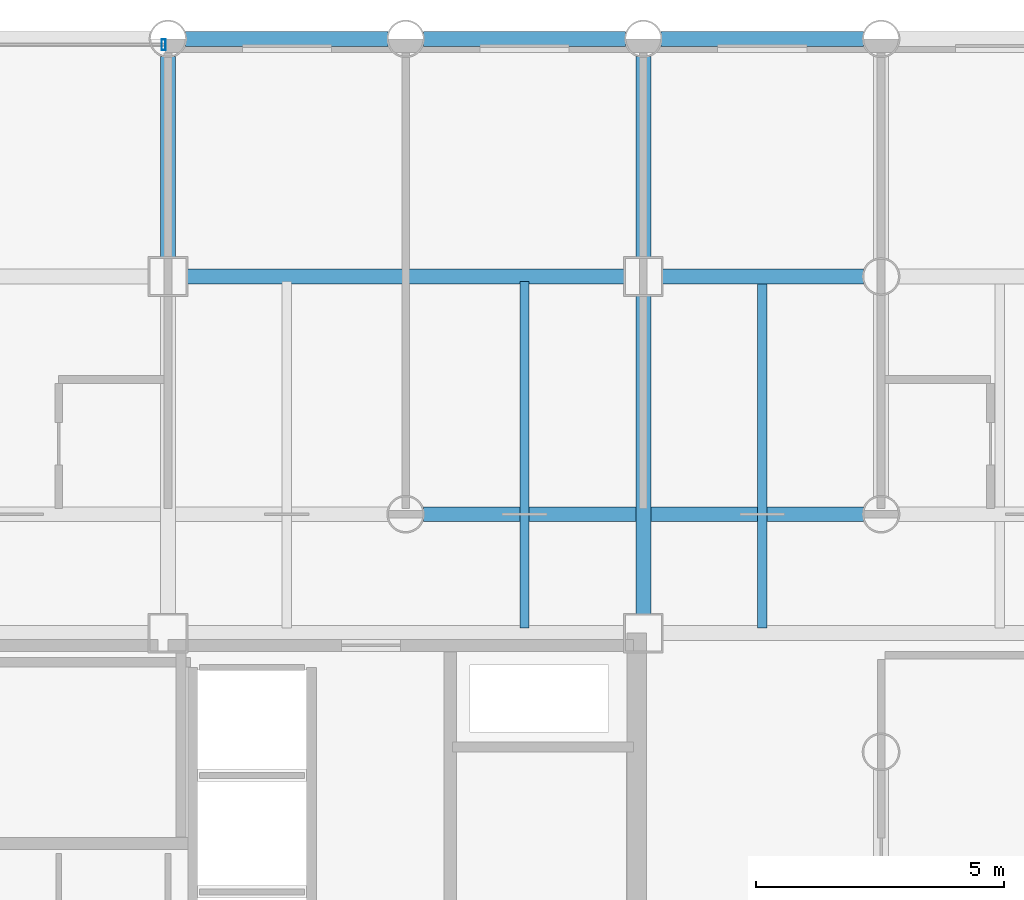
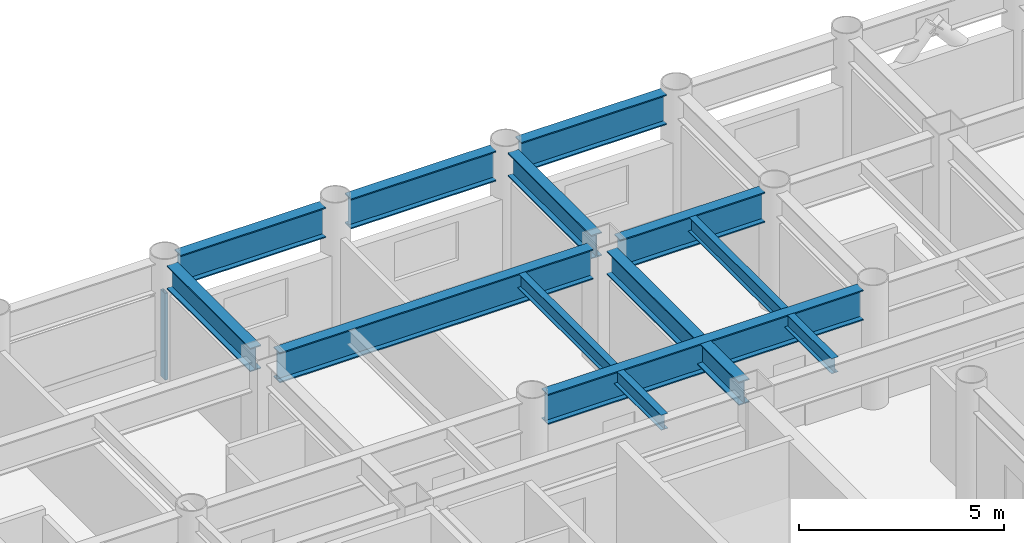
# One storey, part 12 of 21: 11 beams, 1 member, 1 element without a shape of its own.
"""IFC4 building model written with IfcOpenShell, lengths in metres."""

from ifc_helpers import new_model, si_unit, direction, frame, origin, origin_2d, place, context, subcontext, project, spatial, hollow_rectangle, i_section, extrude, material, layer, layer_set, material_profile, profile_set, type_object, element, aggregate, save


model = new_model("IFC4")

# Units and contexts
model_context = context("Model", 3, precision=1e-05, world=origin(), true_north=direction((0.0, 1.0)))
body_context = subcontext(model_context, "Body", "Model", "MODEL_VIEW")
ifc_project = project(units=[si_unit("LENGTHUNIT", "METRE"), si_unit("AREAUNIT", "SQUARE_METRE"), si_unit("VOLUMEUNIT", "CUBIC_METRE"), si_unit("PLANEANGLEUNIT", "RADIAN"), si_unit("MASSUNIT", "GRAM", prefix="KILO")], contexts=[model_context])

# Site, building, storey
site_placement = place(None, origin())
site = spatial("IfcSite", under=ifc_project, at=site_placement, CompositionType="ELEMENT")
building_placement = place(site_placement, origin())
building = spatial("IfcBuilding", under=site, at=building_placement, Name="Kallvorn Hotel Tower", CompositionType="ELEMENT")
storey_placement = place(building_placement, frame((0.0, 0.0, 81.800048828125)))
storey = spatial("IfcBuildingStorey", under=building, at=storey_placement, Name="L19", CompositionType="ELEMENT", Elevation=81.800048828125)

# Beams
ifc_material_1 = material(Name="Structural steel S355JR", Category="steel")
ifc_material_profile_1 = material_profile(ifc_material_1, i_section(OverallWidth=0.300048828125, OverallDepth=0.699951171875, WebThickness=0.01708984375, FlangeThickness=0.031982421875, at=origin_2d()), Name="HE 700 B")
ifc_profile_set_1 = profile_set([ifc_material_profile_1], Name="Structural steel S355JR")
beam_type_1 = type_object("IfcBeamType", Name="BM_HE700B", PredefinedType="BEAM", material=ifc_profile_set_1)
beam_1_placement = place(storey_placement, frame((4.800048828125, 14.77490234375, 3.169921875), z_axis=(0.0, 1.0, 0.0), x_axis=(-1.0, 0.0, 0.0)))
element("IfcBeam", 1, at=beam_1_placement, inside=storey, type_object=beam_type_1, Name="L20 Primary Y-Girder 117", PredefinedType="BEAM", context=body_context, shape_type="SweptSolid", body=[
    extrude(i_section(OverallWidth=0.300048828125, OverallDepth=0.699951171875, WebThickness=0.01708984375, FlangeThickness=0.031982421875, at=origin_2d()), origin(), (0.0, 0.0, 1.0), 4.069091796875),
])
beam_2_placement = place(storey_placement, frame((14.39990234375, 7.574951171875, 3.169921875), z_axis=(0.0, 1.0, 0.0), x_axis=(-1.0, 0.0, 0.0)))
element("IfcBeam", 2, at=beam_2_placement, inside=storey, type_object=beam_type_1, Name="L20 Primary Y-Girder 124", PredefinedType="BEAM", context=body_context, shape_type="SweptSolid", body=[
    extrude(i_section(OverallWidth=0.300048828125, OverallDepth=0.699951171875, WebThickness=0.01708984375, FlangeThickness=0.031982421875, at=origin_2d()), origin(), (0.0, 0.0, 1.0), 6.449951171875),
])
beam_3_placement = place(storey_placement, frame((14.39990234375, 14.77490234375, 3.169921875), z_axis=(0.0, 1.0, 0.0), x_axis=(-1.0, 0.0, 0.0)))
element("IfcBeam", 3, at=beam_3_placement, inside=storey, type_object=beam_type_1, Name="L20 Primary Y-Girder 125", PredefinedType="BEAM", context=body_context, shape_type="SweptSolid", body=[
    extrude(i_section(OverallWidth=0.300048828125, OverallDepth=0.699951171875, WebThickness=0.01708984375, FlangeThickness=0.031982421875, at=origin_2d()), origin(), (0.0, 0.0, 1.0), 4.069091796875),
])
ifc_material_2 = material(Name="Structural steel S355JR", Category="steel")
ifc_material_profile_2 = material_profile(ifc_material_2, i_section(OverallWidth=0.300048828125, OverallDepth=0.89990234375, WebThickness=0.0185546875, FlangeThickness=0.034912109375, at=origin_2d()), Name="HE 900 B")
ifc_profile_set_2 = profile_set([ifc_material_profile_2], Name="Structural steel S355JR")
beam_type_2 = type_object("IfcBeamType", Name="BM_HE900B", PredefinedType="BEAM", material=ifc_profile_set_2)
beam_4_placement = place(storey_placement, frame((9.9560546875, 9.60009765625, 3.070068359375), z_axis=(1.0, 0.0, 0.0), x_axis=(0.0, 1.0, 0.0)))
element("IfcBeam", 4, at=beam_4_placement, inside=storey, type_object=beam_type_2, Name="L20 Primary X-Girder 47", PredefinedType="BEAM", context=body_context, shape_type="SweptSolid", body=[
    extrude(i_section(OverallWidth=0.300048828125, OverallDepth=0.89990234375, WebThickness=0.0185546875, FlangeThickness=0.034912109375, at=origin_2d()), origin(), (0.0, 0.0, 1.0), 8.887939453125),
])
beam_5_placement = place(storey_placement, frame((5.175048828125, 14.39990234375, 3.070068359375), z_axis=(1.0, 0.0, 0.0), x_axis=(0.0, 1.0, 0.0)))
element("IfcBeam", 5, at=beam_5_placement, inside=storey, type_object=beam_type_2, Name="L20 Primary X-Girder 56", PredefinedType="BEAM", context=body_context, shape_type="SweptSolid", body=[
    extrude(i_section(OverallWidth=0.300048828125, OverallDepth=0.89990234375, WebThickness=0.0185546875, FlangeThickness=0.034912109375, at=origin_2d()), origin(), (0.0, 0.0, 1.0), 8.849853515625),
])
beam_6_placement = place(storey_placement, frame((14.77490234375, 14.39990234375, 3.070068359375), z_axis=(1.0, 0.0, 0.0), x_axis=(0.0, 1.0, 0.0)))
element("IfcBeam", 6, at=beam_6_placement, inside=storey, type_object=beam_type_2, Name="L20 Primary X-Girder 57", PredefinedType="BEAM", context=body_context, shape_type="SweptSolid", body=[
    extrude(i_section(OverallWidth=0.300048828125, OverallDepth=0.89990234375, WebThickness=0.0185546875, FlangeThickness=0.034912109375, at=origin_2d()), origin(), (0.0, 0.0, 1.0), 4.069091796875),
])
for number, where, z_axis, x_axis, name in (
    (7, (5.156005859375, 19.199951171875, 3.070068359375), (1.0, 0.0, 0.0), (0.0, 1.0, 0.0), "L20 Primary X-Girder 68"),
    (8, (9.9560546875, 19.199951171875, 3.070068359375), (1.0, 0.0, 0.0), (0.0, 1.0, 0.0), "L20 Primary X-Girder 69"),
    (9, (14.756103515625, 19.199951171875, 3.070068359375), (1.0, 0.0, 0.0), (0.0, 1.0, 0.0), "L20 Primary X-Girder 70"),
):
    element("IfcBeam", number, at=place(storey_placement, frame(where, z_axis=z_axis, x_axis=x_axis)), inside=storey, type_object=beam_type_2, Name=name, PredefinedType="BEAM", context=body_context, shape_type="SweptSolid", body=[
        extrude(i_section(OverallWidth=0.300048828125, OverallDepth=0.89990234375, WebThickness=0.0185546875, FlangeThickness=0.034912109375, at=origin_2d()), origin(), (0.0, 0.0, 1.0), 4.087890625),
    ])
ifc_material_3 = material(Name="Structural steel S355JR", Category="steel")
ifc_material_profile_3 = material_profile(ifc_material_3, i_section(OverallWidth=0.18994140625, OverallDepth=0.449951171875, WebThickness=0.009521484375, FlangeThickness=0.0146484375, at=origin_2d()), Name="IPE 450")
ifc_profile_set_3 = profile_set([ifc_material_profile_3], Name="Structural steel S355JR")
beam_type_3 = type_object("IfcBeamType", Name="BM_IPE450", PredefinedType="JOIST", material=ifc_profile_set_3)
for number, where, z_axis, x_axis, name in (
    (10, (12.0, 7.300048828125, 3.294921875), (0.0, 1.0, 0.0), (-1.0, 0.0, 0.0), "L20 Secondary Composite Joist 205"),
    (11, (16.800048828125, 7.300048828125, 3.294921875), (0.0, 1.0, 0.0), (-1.0, 0.0, 0.0), "L20 Secondary Composite Joist 207"),
):
    element("IfcBeam", number, at=place(storey_placement, frame(where, z_axis=z_axis, x_axis=x_axis)), inside=storey, type_object=beam_type_3, Name=name, PredefinedType="JOIST", context=body_context, shape_type="SweptSolid", body=[
        extrude(i_section(OverallWidth=0.18994140625, OverallDepth=0.449951171875, WebThickness=0.009521484375, FlangeThickness=0.0146484375, at=origin_2d()), origin(), (0.0, 0.0, 1.0), 7.0),
    ])

# Curtain wall, member
ifc_material_4 = material(Name="Thermally broken black-anodised aluminium AA 6063-T6", Category="aluminium")
ifc_layer = layer(ifc_material_4, 0.199951171875)
ifc_layer_set = layer_set([ifc_layer], Name="CW_SYS_3_HOTEL_LOW")
curtain_wall_type = type_object("IfcCurtainWallType", Name="CW_SYS_3_HOTEL_LOW", PredefinedType="USERDEFINED", material=ifc_layer_set)
curtain_wall_placement = place(storey_placement, origin())
curtain_wall = element("IfcCurtainWall", 12, at=curtain_wall_placement, inside=storey, type_object=curtain_wall_type, Name="L19 Dark-Glass Curtain Wall CW-L19-NC", ObjectType="UNITISED CURTAIN WALL", PredefinedType="USERDEFINED")
ifc_material_5 = material(Name="Thermally broken black-anodised aluminium AA 6063-T6", Category="aluminium")
ifc_material_profile_4 = material_profile(ifc_material_5, hollow_rectangle(XDim=0.080078125, YDim=0.219970703125, WallThickness=0.0048828125, at=origin_2d()), Name="MUL 220x80")
ifc_profile_set_4 = profile_set([ifc_material_profile_4], Name="Thermally broken black-anodised aluminium AA 6063-T6")
member_type = type_object("IfcMemberType", Name="CW_MULLION_220x80", PredefinedType="MULLION", material=ifc_profile_set_4)
member_placement = place(storey_placement, frame((4.7099609375, 19.080078125, 0.02001953125), z_axis=(0.0, 0.0, 1.0), x_axis=(1.0, 0.0, 0.0)))
member = element("IfcMember", 13, at=member_placement, type_object=member_type, Name="CW-L19-NC Mullion 02", PredefinedType="MULLION", context=body_context, shape_type="SweptSolid", body=[
    extrude(hollow_rectangle(XDim=0.080078125, YDim=0.219970703125, WallThickness=0.0048828125, at=origin_2d()), origin(), (0.0, 0.0, 1.0), 2.579833984375),
])
aggregate(curtain_wall, [member])

save(model, "model.ifc")
